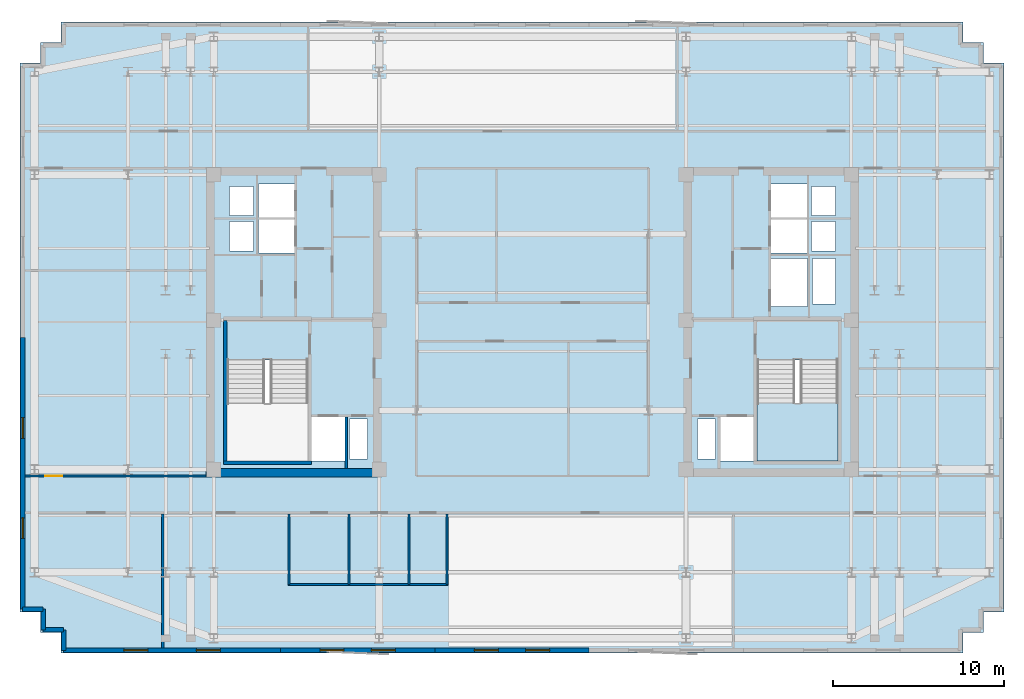
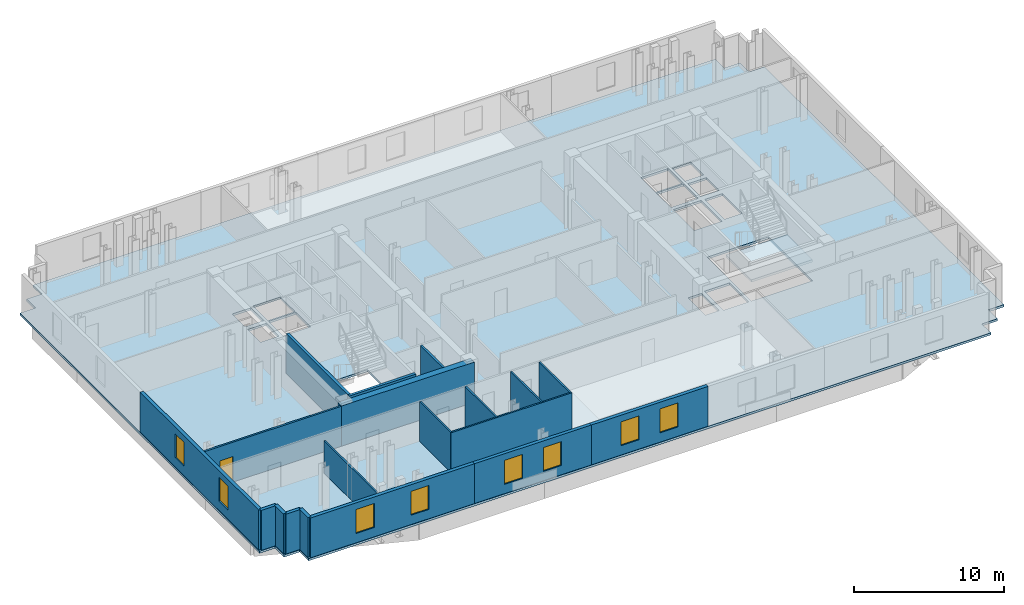
# One storey, part 3 of 9: 19 walls, 8 windows, 2 slabs, 1 door, 9 openings, 1 element without a shape of its own.
"""IFC4 building model written with IfcOpenShell, lengths in metres."""

from ifc_helpers import new_model, si_unit, direction, frame, frame_2d, origin, place, context, subcontext, project, spatial, polyline, rectangle, outline, extrude, material, layer, layer_set, type_object, element, fill, aggregate, save


model = new_model("IFC4")

# Units and contexts
model_context = context("Model", 3, precision=1e-05, world=origin(), true_north=direction((0.0, 1.0)))
body_context = subcontext(model_context, "Body", "Model", "MODEL_VIEW")
ifc_project = project(units=[si_unit("LENGTHUNIT", "METRE"), si_unit("AREAUNIT", "SQUARE_METRE"), si_unit("VOLUMEUNIT", "CUBIC_METRE"), si_unit("PLANEANGLEUNIT", "RADIAN"), si_unit("MASSUNIT", "GRAM", prefix="KILO")], contexts=[model_context])

# Site, building, storey
site_placement = place(None, origin())
site = spatial("IfcSite", under=ifc_project, at=site_placement, CompositionType="ELEMENT")
building_placement = place(site_placement, origin())
building = spatial("IfcBuilding", under=site, at=building_placement, Name="Velakula Bourse", CompositionType="ELEMENT")
storey_placement = place(building_placement, frame((0.0, 0.0, 208.5)))
storey = spatial("IfcBuildingStorey", under=building, at=storey_placement, Name="L56", CompositionType="ELEMENT", Elevation=208.5)

# Stair, slab
ifc_material_1 = material(Name="Concrete M45 (fck 45 MPa)", Category="concrete")
stair_type = type_object("IfcStairType", Name="STR-DOG-390", PredefinedType="HALF_TURN_STAIR", material=ifc_material_1)
stair_placement = place(storey_placement, origin())
stair = element("IfcStair", 1, at=stair_placement, inside=storey, type_object=stair_type, Name="L56 East Core Exit Stair ST-E1", PredefinedType="HALF_TURN_STAIR")
ifc_layer_1 = layer(ifc_material_1, 0.199951171875, Name="Concrete M45 (fck 45 MPa)", Category="concrete")
ifc_layer_set_1 = layer_set([ifc_layer_1], Name="Concrete M45 (fck 45 MPa)")
slab_type_1 = type_object("IfcSlabType", Name="SLB-STAIR-LND-200", PredefinedType="LANDING", material=ifc_layer_set_1)
slab_1_placement = place(storey_placement, frame((0.0, 0.0, 1.52490234375)))
slab_1 = element("IfcSlab", 2, at=slab_1_placement, type_object=slab_type_1, Name="ST-E1 landing 1", PredefinedType="LANDING", context=body_context, shape_type="SweptSolid", body=[
    extrude(outline(polyline([(13.10009765625, -4.719970703125), (13.10009765625, -8.10009765625), (17.820068359375, -8.10009765625), (17.820068359375, -4.719970703125), (13.10009765625, -4.719970703125)])), origin(), (0.0, 0.0, 1.0), 0.2001953125),
])
aggregate(stair, [slab_1])

# Slab
ifc_material_2 = material(Name="Concrete M50 (fck 50 MPa)", Category="concrete")
ifc_layer_2 = layer(ifc_material_2, 0.179931640625, Name="Concrete M50 (fck 50 MPa)", Category="concrete")
ifc_layer_set_2 = layer_set([ifc_layer_2], Name="Concrete M50 (fck 50 MPa)")
slab_type_2 = type_object("IfcSlabType", Name="SLB-TWR-180", PredefinedType="FLOOR", material=ifc_layer_set_2)
slab_2_placement = place(storey_placement, frame((0.0, 0.0, -0.179931640625)))
element("IfcSlab", 3, at=slab_2_placement, inside=storey, type_object=slab_type_2, Name="L56 Suspended Structural Floor Slab", PredefinedType="FLOOR", context=body_context, shape_type="SweptSolid", body=[
    extrude(outline(polyline([(-27.5, -19.300048828125), (25.10009765625, -19.300048828125), (25.10009765625, -18.10009765625), (26.300048828125, -18.10009765625), (26.300048828125, -16.89990234375), (27.5, -16.89990234375), (27.5, 15.10009765625), (26.300048828125, 15.10009765625), (26.300048828125, 16.300048828125), (25.10009765625, 16.300048828125), (25.10009765625, 17.5), (-27.5, 17.5), (-27.5, 16.300048828125), (-28.699951171875, 16.300048828125), (-28.699951171875, 15.10009765625), (-29.89990234375, 15.10009765625), (-29.89990234375, -16.89990234375), (-28.699951171875, -16.89990234375), (-28.699951171875, -18.10009765625), (-27.5, -18.10009765625), (-27.5, -19.300048828125)]), holes=[polyline([(-17.820068359375, -8.10009765625), (-13.10009765625, -8.10009765625), (-13.10009765625, -2.199951171875), (-17.820068359375, -2.199951171875), (-17.820068359375, -8.10009765625)]), polyline([(13.10009765625, -8.10009765625), (17.820068359375, -8.10009765625), (17.820068359375, -2.199951171875), (13.10009765625, -2.199951171875), (13.10009765625, -8.10009765625)]), polyline([(-12.89990234375, -8.10009765625), (-10.949951171875, -8.10009765625), (-10.949951171875, -5.550048828125), (-12.89990234375, -5.550048828125), (-12.89990234375, -8.10009765625)]), polyline([(10.949951171875, -8.10009765625), (12.89990234375, -8.10009765625), (12.89990234375, -5.550048828125), (10.949951171875, -5.550048828125), (10.949951171875, -8.10009765625)]), polyline([(13.89990234375, 0.919921875), (16.050048828125, 0.919921875), (16.050048828125, 3.719970703125), (13.89990234375, 3.719970703125), (13.89990234375, 0.919921875)]), polyline([(-10.679931640625, -7.97998046875), (-9.6201171875, -7.97998046875), (-9.6201171875, -5.669921875), (-10.679931640625, -5.669921875), (-10.679931640625, -7.97998046875)]), polyline([(-17.679931640625, 4.139892578125), (-16.27001953125, 4.139892578125), (-16.27001953125, 5.85009765625), (-17.679931640625, 5.85009765625), (-17.679931640625, 4.139892578125)]), polyline([(-17.679931640625, 6.2099609375), (-16.27001953125, 6.2099609375), (-16.27001953125, 7.919921875), (-17.679931640625, 7.919921875), (-17.679931640625, 6.2099609375)]), polyline([(9.6201171875, -7.97998046875), (10.679931640625, -7.97998046875), (10.679931640625, -5.669921875), (9.6201171875, -5.669921875), (9.6201171875, -7.97998046875)]), polyline([(16.27001953125, 4.139892578125), (17.679931640625, 4.139892578125), (17.679931640625, 5.85009765625), (16.27001953125, 5.85009765625), (16.27001953125, 4.139892578125)]), polyline([(16.27001953125, 6.2099609375), (17.679931640625, 6.2099609375), (17.679931640625, 7.919921875), (16.27001953125, 7.919921875), (16.27001953125, 6.2099609375)]), polyline([(16.320068359375, 1.0400390625), (17.679931640625, 1.0400390625), (17.679931640625, 3.699951171875), (16.320068359375, 3.699951171875), (16.320068359375, 1.0400390625)]), polyline([(-16.0, 4.02001953125), (-13.89990234375, 4.02001953125), (-13.89990234375, 5.969970703125), (-16.0, 5.969970703125), (-16.0, 4.02001953125)]), polyline([(-16.0, 6.090087890625), (-13.89990234375, 6.090087890625), (-13.89990234375, 8.0400390625), (-16.0, 8.0400390625), (-16.0, 6.090087890625)]), polyline([(13.89990234375, 4.02001953125), (16.0, 4.02001953125), (16.0, 5.969970703125), (13.89990234375, 5.969970703125), (13.89990234375, 4.02001953125)]), polyline([(13.89990234375, 6.090087890625), (16.0, 6.090087890625), (16.0, 8.0400390625), (13.89990234375, 8.0400390625), (13.89990234375, 6.090087890625)])]), origin(), (0.0, 0.0, 1.0), 0.179931640625),
])

# Walls
ifc_layer_3 = layer(ifc_material_2, 0.2099609375, Name="Concrete M50 (fck 50 MPa)", Category="concrete")
ifc_layer_set_3 = layer_set([ifc_layer_3], Name="Concrete M50 (fck 50 MPa)")
wall_type_1 = type_object("IfcWallType", Name="WL-CORE-210", PredefinedType="SHEAR", material=ifc_layer_set_3)
wall_1_placement = place(storey_placement, frame((-17.925048828125, -8.10009765625, 0.0), z_axis=(0.0, 0.0, 1.0), x_axis=(0.0, 1.0, 0.0)))
element("IfcWall", 4, at=wall_1_placement, inside=storey, type_object=wall_type_1, Name="L56 Core W Stairwell Shear Wall OUT", PredefinedType="SHEAR", context=body_context, shape_type="SweptSolid", body=[
    extrude(rectangle(XDim=8.2001953125, YDim=0.2099609375, at=frame_2d((4.10009765625, 0.0))), origin(), (0.0, 0.0, 1.0), 3.27001953125),
])
wall_2_placement = place(storey_placement, frame((-18.030029296875, -8.205078125, 0.0), z_axis=(0.0, 0.0, 1.0), x_axis=(1.0, 0.0, 0.0)))
element("IfcWall", 5, at=wall_2_placement, inside=storey, type_object=wall_type_1, Name="L56 Core W Stairwell Shear Wall S", PredefinedType="SHEAR", context=body_context, shape_type="SweptSolid", body=[
    extrude(rectangle(XDim=5.14013671875, YDim=0.2099609375, at=frame_2d((2.570068359375, 0.0))), origin(), (0.0, 0.0, 1.0), 3.27001953125),
])
ifc_layer_4 = layer(ifc_material_2, 0.5, Name="Concrete M50 (fck 50 MPa)", Category="concrete")
ifc_layer_set_4 = layer_set([ifc_layer_4], Name="Concrete M50 (fck 50 MPa)")
wall_type_2 = type_object("IfcWallType", Name="WL-CORE-500", PredefinedType="SHEAR", material=ifc_layer_set_4)
wall_3_placement = place(storey_placement, frame((-19.050048828125, -8.800048828125, 0.0), z_axis=(0.0, 0.0, 1.0), x_axis=(1.0, 0.0, 0.0)))
element("IfcWall", 6, at=wall_3_placement, inside=storey, type_object=wall_type_2, Name="L56 Core W Shear Wall S", PredefinedType="SHEAR", context=body_context, shape_type="SweptSolid", body=[
    extrude(rectangle(XDim=10.25, YDim=0.5, at=frame_2d((5.125, 0.0))), origin(), (0.0, 0.0, 1.0), 3.27001953125),
])

# Wall, openings, windows
ifc_material_3 = material(Name="Buff kilned clay facing brick masonry", Category="masonry")
ifc_layer_5 = layer(ifc_material_3, 0.260009765625, Name="Buff kilned clay facing brick masonry", Category="masonry")
ifc_layer_set_5 = layer_set([ifc_layer_5], Name="Buff kilned clay facing brick masonry")
wall_type_3 = type_object("IfcWallType", Name="WL-EXT-BRK-260", PredefinedType="STANDARD", material=ifc_layer_set_5)
wall_4_placement = place(storey_placement, frame((-14.699951171875, -19.14990234375, 0.0), z_axis=(0.0, 0.0, 1.0), x_axis=(-1.0, 0.0, 0.0)))
wall_4 = element("IfcWall", 7, at=wall_4_placement, inside=storey, type_object=wall_type_3, Name="L56 S Brick Spandrel Wall B1", PredefinedType="STANDARD", context=body_context, shape_type="SweptSolid", body=[
    extrude(rectangle(XDim=12.650146484375, YDim=0.260009765625, at=frame_2d((6.3251953125, 0.0))), origin(), (0.0, 0.0, 1.0), 3.25),
])
opening_1_placement = place(wall_4_placement, frame((3.5166015625, 0.0, 0.760009765625)))
opening_1 = element("IfcOpeningElement", 8, at=opening_1_placement, cuts=wall_4, Name="Opening W-03", PredefinedType="OPENING", context=body_context, shape_type="SweptSolid", body=[
    extrude(rectangle(XDim=1.39990234375, YDim=1.949951171875, at=frame_2d((0.699951171875, 0.97509765625))), frame((0.0, 0.139892578125, 0.0), z_axis=(0.0, -1.0, 0.0), x_axis=(1.0, 0.0, 0.0)), (0.0, 0.0, 1.0), 0.280029296875),
])
opening_2_placement = place(wall_4_placement, frame((7.7333984375, 0.0, 0.760009765625)))
opening_2 = element("IfcOpeningElement", 9, at=opening_2_placement, cuts=wall_4, Name="Opening W-03", PredefinedType="OPENING", context=body_context, shape_type="SweptSolid", body=[
    extrude(rectangle(XDim=1.39990234375, YDim=1.949951171875, at=frame_2d((0.699951171875, 0.97509765625))), frame((0.0, 0.139892578125, 0.0), z_axis=(0.0, -1.0, 0.0), x_axis=(1.0, 0.0, 0.0)), (0.0, 0.0, 1.0), 0.280029296875),
])
ifc_material_4 = material(Name="Double-glazed solar-control Low-E glass", Category="glass")
window_type_1 = type_object("IfcWindowType", Name="WIN-TWR-1400x2100", PartitioningType="SINGLE_PANEL", PredefinedType="WINDOW", material=ifc_material_4)
window_1_placement = place(opening_1_placement, origin())
window_1 = element("IfcWindow", 10, at=window_1_placement, inside=storey, type_object=window_type_1, Name="L56 Deep-Set Recessed Window 1", OverallHeight=1.949951171875, OverallWidth=1.39990234375, PartitioningType="SINGLE_PANEL", PredefinedType="WINDOW", context=body_context, shape_type="SweptSolid", body=[
    extrude(rectangle(XDim=1.39990234375, YDim=1.949951171875, at=frame_2d((0.699951171875, 0.97509765625))), frame((0.0, 0.030029296875, 0.0), z_axis=(0.0, -1.0, 0.0), x_axis=(1.0, 0.0, 0.0)), (0.0, 0.0, 1.0), 0.06005859375),
])
fill(opening_1, window_1)
window_2_placement = place(opening_2_placement, origin())
window_2 = element("IfcWindow", 11, at=window_2_placement, inside=storey, type_object=window_type_1, Name="L56 Deep-Set Recessed Window 2", OverallHeight=1.949951171875, OverallWidth=1.39990234375, PartitioningType="SINGLE_PANEL", PredefinedType="WINDOW", context=body_context, shape_type="SweptSolid", body=[
    extrude(rectangle(XDim=1.39990234375, YDim=1.949951171875, at=frame_2d((0.699951171875, 0.97509765625))), frame((0.0, 0.030029296875, 0.0), z_axis=(0.0, -1.0, 0.0), x_axis=(1.0, 0.0, 0.0)), (0.0, 0.0, 1.0), 0.06005859375),
])
fill(opening_2, window_2)

wall_5_placement = place(storey_placement, frame((-5.699951171875, -19.14990234375, 0.0), z_axis=(0.0, 0.0, 1.0), x_axis=(-1.0, 0.0, 0.0)))
wall_5 = element("IfcWall", 12, at=wall_5_placement, inside=storey, type_object=wall_type_3, Name="L56 S Brick Spandrel Wall B2", PredefinedType="STANDARD", context=body_context, shape_type="SweptSolid", body=[
    extrude(rectangle(XDim=9.0, YDim=0.260009765625, at=frame_2d((4.5, 0.0))), origin(), (0.0, 0.0, 1.0), 3.25),
])
opening_3_placement = place(wall_5_placement, frame((2.300048828125, 0.0, 0.760009765625)))
opening_3 = element("IfcOpeningElement", 13, at=opening_3_placement, cuts=wall_5, Name="Opening W-03", PredefinedType="OPENING", context=body_context, shape_type="SweptSolid", body=[
    extrude(rectangle(XDim=1.39990234375, YDim=1.949951171875, at=frame_2d((0.699951171875, 0.97509765625))), frame((0.0, 0.139892578125, 0.0), z_axis=(0.0, -1.0, 0.0), x_axis=(1.0, 0.0, 0.0)), (0.0, 0.0, 1.0), 0.280029296875),
])
opening_4_placement = place(wall_5_placement, frame((5.300048828125, 0.0, 0.760009765625)))
opening_4 = element("IfcOpeningElement", 14, at=opening_4_placement, cuts=wall_5, Name="Opening W-03", PredefinedType="OPENING", context=body_context, shape_type="SweptSolid", body=[
    extrude(rectangle(XDim=1.39990234375, YDim=1.949951171875, at=frame_2d((0.699951171875, 0.97509765625))), frame((0.0, 0.139892578125, 0.0), z_axis=(0.0, -1.0, 0.0), x_axis=(1.0, 0.0, 0.0)), (0.0, 0.0, 1.0), 0.280029296875),
])
window_3_placement = place(opening_3_placement, origin())
window_3 = element("IfcWindow", 15, at=window_3_placement, inside=storey, type_object=window_type_1, Name="L56 Deep-Set Recessed Window 1", OverallHeight=1.949951171875, OverallWidth=1.39990234375, PartitioningType="SINGLE_PANEL", PredefinedType="WINDOW", context=body_context, shape_type="SweptSolid", body=[
    extrude(rectangle(XDim=1.39990234375, YDim=1.949951171875, at=frame_2d((0.699951171875, 0.97509765625))), frame((0.0, 0.030029296875, 0.0), z_axis=(0.0, -1.0, 0.0), x_axis=(1.0, 0.0, 0.0)), (0.0, 0.0, 1.0), 0.06005859375),
])
fill(opening_3, window_3)
window_4_placement = place(opening_4_placement, origin())
window_4 = element("IfcWindow", 16, at=window_4_placement, inside=storey, type_object=window_type_1, Name="L56 Deep-Set Recessed Window 2", OverallHeight=1.949951171875, OverallWidth=1.39990234375, PartitioningType="SINGLE_PANEL", PredefinedType="WINDOW", context=body_context, shape_type="SweptSolid", body=[
    extrude(rectangle(XDim=1.39990234375, YDim=1.949951171875, at=frame_2d((0.699951171875, 0.97509765625))), frame((0.0, 0.030029296875, 0.0), z_axis=(0.0, -1.0, 0.0), x_axis=(1.0, 0.0, 0.0)), (0.0, 0.0, 1.0), 0.06005859375),
])
fill(opening_4, window_4)

wall_6_placement = place(storey_placement, frame((3.300048828125, -19.14990234375, 0.0), z_axis=(0.0, 0.0, 1.0), x_axis=(-1.0, 0.0, 0.0)))
wall_6 = element("IfcWall", 17, at=wall_6_placement, inside=storey, type_object=wall_type_3, Name="L56 S Brick Spandrel Wall B3", PredefinedType="STANDARD", context=body_context, shape_type="SweptSolid", body=[
    extrude(rectangle(XDim=9.0, YDim=0.260009765625, at=frame_2d((4.5, 0.0))), origin(), (0.0, 0.0, 1.0), 3.25),
])
opening_5_placement = place(wall_6_placement, frame((2.300048828125, 0.0, 0.760009765625)))
opening_5 = element("IfcOpeningElement", 18, at=opening_5_placement, cuts=wall_6, Name="Opening W-03", PredefinedType="OPENING", context=body_context, shape_type="SweptSolid", body=[
    extrude(rectangle(XDim=1.39990234375, YDim=1.949951171875, at=frame_2d((0.699951171875, 0.97509765625))), frame((0.0, 0.139892578125, 0.0), z_axis=(0.0, -1.0, 0.0), x_axis=(1.0, 0.0, 0.0)), (0.0, 0.0, 1.0), 0.280029296875),
])
opening_6_placement = place(wall_6_placement, frame((5.300048828125, 0.0, 0.760009765625)))
opening_6 = element("IfcOpeningElement", 19, at=opening_6_placement, cuts=wall_6, Name="Opening W-03", PredefinedType="OPENING", context=body_context, shape_type="SweptSolid", body=[
    extrude(rectangle(XDim=1.39990234375, YDim=1.949951171875, at=frame_2d((0.699951171875, 0.97509765625))), frame((0.0, 0.139892578125, 0.0), z_axis=(0.0, -1.0, 0.0), x_axis=(1.0, 0.0, 0.0)), (0.0, 0.0, 1.0), 0.280029296875),
])
window_5_placement = place(opening_5_placement, origin())
window_5 = element("IfcWindow", 20, at=window_5_placement, inside=storey, type_object=window_type_1, Name="L56 Deep-Set Recessed Window 1", OverallHeight=1.949951171875, OverallWidth=1.39990234375, PartitioningType="SINGLE_PANEL", PredefinedType="WINDOW", context=body_context, shape_type="SweptSolid", body=[
    extrude(rectangle(XDim=1.39990234375, YDim=1.949951171875, at=frame_2d((0.699951171875, 0.97509765625))), frame((0.0, 0.030029296875, 0.0), z_axis=(0.0, -1.0, 0.0), x_axis=(1.0, 0.0, 0.0)), (0.0, 0.0, 1.0), 0.06005859375),
])
fill(opening_5, window_5)
window_6_placement = place(opening_6_placement, origin())
window_6 = element("IfcWindow", 21, at=window_6_placement, inside=storey, type_object=window_type_1, Name="L56 Deep-Set Recessed Window 2", OverallHeight=1.949951171875, OverallWidth=1.39990234375, PartitioningType="SINGLE_PANEL", PredefinedType="WINDOW", context=body_context, shape_type="SweptSolid", body=[
    extrude(rectangle(XDim=1.39990234375, YDim=1.949951171875, at=frame_2d((0.699951171875, 0.97509765625))), frame((0.0, 0.030029296875, 0.0), z_axis=(0.0, -1.0, 0.0), x_axis=(1.0, 0.0, 0.0)), (0.0, 0.0, 1.0), 0.06005859375),
])
fill(opening_6, window_6)

wall_7_placement = place(storey_placement, frame((-29.75, -16.75, 0.0), z_axis=(0.0, 0.0, 1.0), x_axis=(0.0, 1.0, 0.0)))
wall_7 = element("IfcWall", 22, at=wall_7_placement, inside=storey, type_object=wall_type_3, Name="L56 W Brick End Wall W1", PredefinedType="STANDARD", context=body_context, shape_type="SweptSolid", body=[
    extrude(rectangle(XDim=15.85009765625, YDim=0.260009765625, at=frame_2d((7.925048828125, 0.0))), origin(), (0.0, 0.0, 1.0), 3.25),
])
opening_7_placement = place(wall_7_placement, frame((4.13330078125, 0.0, 0.760009765625)))
opening_7 = element("IfcOpeningElement", 23, at=opening_7_placement, cuts=wall_7, Name="Opening W-04", PredefinedType="OPENING", context=body_context, shape_type="SweptSolid", body=[
    extrude(rectangle(XDim=1.199951171875, YDim=1.949951171875, at=frame_2d((0.60009765625, 0.97509765625))), frame((0.0, 0.139892578125, 0.0), z_axis=(0.0, -1.0, 0.0), x_axis=(1.0, 0.0, 0.0)), (0.0, 0.0, 1.0), 0.280029296875),
])
opening_8_placement = place(wall_7_placement, frame((9.966796875, 0.0, 0.760009765625)))
opening_8 = element("IfcOpeningElement", 24, at=opening_8_placement, cuts=wall_7, Name="Opening W-04", PredefinedType="OPENING", context=body_context, shape_type="SweptSolid", body=[
    extrude(rectangle(XDim=1.199951171875, YDim=1.949951171875, at=frame_2d((0.60009765625, 0.97509765625))), frame((0.0, 0.139892578125, 0.0), z_axis=(0.0, -1.0, 0.0), x_axis=(1.0, 0.0, 0.0)), (0.0, 0.0, 1.0), 0.280029296875),
])
window_type_2 = type_object("IfcWindowType", Name="WIN-TWR-1200x2100", PartitioningType="SINGLE_PANEL", PredefinedType="WINDOW", material=ifc_material_4)
window_7_placement = place(opening_7_placement, origin())
window_7 = element("IfcWindow", 25, at=window_7_placement, inside=storey, type_object=window_type_2, Name="L56 Deep-Set Recessed Window 1", OverallHeight=1.949951171875, OverallWidth=1.199951171875, PartitioningType="SINGLE_PANEL", PredefinedType="WINDOW", context=body_context, shape_type="SweptSolid", body=[
    extrude(rectangle(XDim=1.199951171875, YDim=1.949951171875, at=frame_2d((0.60009765625, 0.97509765625))), frame((0.0, 0.030029296875, 0.0), z_axis=(0.0, -1.0, 0.0), x_axis=(1.0, 0.0, 0.0)), (0.0, 0.0, 1.0), 0.06005859375),
])
fill(opening_7, window_7)
window_8_placement = place(opening_8_placement, origin())
window_8 = element("IfcWindow", 26, at=window_8_placement, inside=storey, type_object=window_type_2, Name="L56 Deep-Set Recessed Window 2", OverallHeight=1.949951171875, OverallWidth=1.199951171875, PartitioningType="SINGLE_PANEL", PredefinedType="WINDOW", context=body_context, shape_type="SweptSolid", body=[
    extrude(rectangle(XDim=1.199951171875, YDim=1.949951171875, at=frame_2d((0.60009765625, 0.97509765625))), frame((0.0, 0.030029296875, 0.0), z_axis=(0.0, -1.0, 0.0), x_axis=(1.0, 0.0, 0.0)), (0.0, 0.0, 1.0), 0.06005859375),
])
fill(opening_8, window_8)

# Walls
for number, where, z_axis, x_axis, name in (
    (27, (-29.75, -16.75, 0.0), (0.0, 0.0, 1.0), (1.0, 0.0, 0.0), "L56 Serrated Corner Brick Wall SW-1"),
    (28, (-28.550048828125, -16.75, 0.0), (0.0, 0.0, 1.0), (0.0, -1.0, 0.0), "L56 Serrated Corner Brick Wall SW-2"),
    (29, (-28.550048828125, -17.949951171875, 0.0), (0.0, 0.0, 1.0), (1.0, 0.0, 0.0), "L56 Serrated Corner Brick Wall SW-3"),
    (30, (-27.35009765625, -17.949951171875, 0.0), (0.0, 0.0, 1.0), (0.0, -1.0, 0.0), "L56 Serrated Corner Brick Wall SW-4"),
):
    element("IfcWall", number, at=place(storey_placement, frame(where, z_axis=z_axis, x_axis=x_axis)), inside=storey, type_object=wall_type_3, Name=name, PredefinedType="STANDARD", context=body_context, shape_type="SweptSolid", body=[
        extrude(rectangle(XDim=1.199951171875, YDim=0.260009765625, at=frame_2d((0.60009765625, 0.0))), origin(), (0.0, 0.0, 1.0), 3.25),
    ])
ifc_material_5 = material(Name="Fire-rated double-layer gypsum drywall partition", Category="gypsum")
ifc_layer_6 = layer(ifc_material_5, 0.1201171875, Name="Fire-rated double-layer gypsum drywall partition", Category="gypsum")
ifc_layer_set_6 = layer_set([ifc_layer_6], Name="Fire-rated double-layer gypsum drywall partition")
wall_type_4 = type_object("IfcWallType", Name="WL-PART-120", PredefinedType="STANDARD", material=ifc_layer_set_6)
wall_8_placement = place(storey_placement, frame((-14.260009765625, -15.320068359375, 0.0), z_axis=(0.0, 0.0, 1.0), x_axis=(1.0, 0.0, 0.0)))
element("IfcWall", 31, at=wall_8_placement, inside=storey, type_object=wall_type_4, Name="L56 Interior Partition WL-WC-L56-BACK", PredefinedType="STANDARD", context=body_context, shape_type="SweptSolid", body=[
    extrude(rectangle(XDim=9.320068359375, YDim=0.1201171875, at=frame_2d((4.66015625, 0.0))), origin(), (0.0, 0.0, 1.0), 3.25),
])
for number, where, z_axis, x_axis, name in (
    (32, (-14.199951171875, -15.320068359375, 0.0), (0.0, 0.0, 1.0), (0.0, 1.0, 0.0), "L56 Interior Partition WL-WC-L56-V1"),
    (33, (-10.699951171875, -15.320068359375, 0.0), (0.0, 0.0, 1.0), (0.0, 1.0, 0.0), "L56 Interior Partition WL-WC-L56-V2"),
    (34, (-7.199951171875, -15.320068359375, 0.0), (0.0, 0.0, 1.0), (0.0, 1.0, 0.0), "L56 Interior Partition WL-WC-L56-V3"),
    (35, (-5.0, -15.320068359375, 0.0), (0.0, 0.0, 1.0), (0.0, 1.0, 0.0), "L56 Interior Partition WL-WC-L56-V4"),
):
    element("IfcWall", number, at=place(storey_placement, frame(where, z_axis=z_axis, x_axis=x_axis)), inside=storey, type_object=wall_type_4, Name=name, PredefinedType="STANDARD", context=body_context, shape_type="SweptSolid", body=[
        extrude(rectangle(XDim=4.130126953125, YDim=0.1201171875, at=frame_2d((2.06494140625, 0.0))), origin(), (0.0, 0.0, 1.0), 3.25),
    ])
wall_9_placement = place(storey_placement, frame((-21.572998046875, -19.02001953125, 0.0), z_axis=(0.0, 0.0, 1.0), x_axis=(0.0, 1.0, 0.0)))
element("IfcWall", 36, at=wall_9_placement, inside=storey, type_object=wall_type_4, Name="L56 Interior Partition WL-INT-L56-SL-D5", PredefinedType="STANDARD", context=body_context, shape_type="SweptSolid", body=[
    extrude(rectangle(XDim=7.830078125, YDim=0.1201171875, at=frame_2d((3.9150390625, 0.0))), origin(), (0.0, 0.0, 1.0), 2.64501953125),
])

# Wall, opening, door
ifc_layer_7 = layer(ifc_material_5, 0.139892578125, Name="Fire-rated double-layer gypsum drywall partition", Category="gypsum")
ifc_layer_set_7 = layer_set([ifc_layer_7], Name="Fire-rated double-layer gypsum drywall partition")
wall_type_5 = type_object("IfcWallType", Name="WL-PART-140", PredefinedType="STANDARD", material=ifc_layer_set_7)
wall_10_placement = place(storey_placement, frame((-29.6201171875, -8.97998046875, 0.0), z_axis=(0.0, 0.0, 1.0), x_axis=(1.0, 0.0, 0.0)))
wall_10 = element("IfcWall", 37, at=wall_10_placement, inside=storey, type_object=wall_type_5, Name="L56 Interior Partition WL-INT-L56-W-SC", PredefinedType="STANDARD", context=body_context, shape_type="SweptSolid", body=[
    extrude(rectangle(XDim=10.570068359375, YDim=0.139892578125, at=frame_2d((5.28515625, 0.0))), origin(), (0.0, 0.0, 1.0), 3.25),
])
opening_9_placement = place(wall_10_placement, frame((1.191162109375, 0.0, 0.0)))
opening_9 = element("IfcOpeningElement", 38, at=opening_9_placement, cuts=wall_10, Name="Opening D-OF1", PredefinedType="OPENING", context=body_context, shape_type="SweptSolid", body=[
    extrude(rectangle(XDim=1.0, YDim=2.080078125, at=frame_2d((0.5, 1.0400390625))), frame((0.0, 0.079833984375, 0.0), z_axis=(0.0, -1.0, 0.0), x_axis=(1.0, 0.0, 0.0)), (0.0, 0.0, 1.0), 0.159912109375),
])
ifc_material_6 = material(Name="Fire-rated hardwood flush architectural door", Category="wood")
door_type = type_object("IfcDoorType", Name="DR-OFF-1000", OperationType="NOTDEFINED", PredefinedType="DOOR", material=ifc_material_6)
door_placement = place(opening_9_placement, origin())
door = element("IfcDoor", 39, at=door_placement, inside=storey, type_object=door_type, Name="L56 ESG Rating Analytics Workspace Door", OperationType="SINGLE_SWING_RIGHT", OverallHeight=2.080078125, OverallWidth=1.0, PredefinedType="DOOR", context=body_context, shape_type="SweptSolid", body=[
    extrude(rectangle(XDim=1.0, YDim=2.080078125, at=frame_2d((0.5, 1.0400390625))), frame((0.0, 0.02490234375, 0.0), z_axis=(0.0, -1.0, 0.0), x_axis=(1.0, 0.0, 0.0)), (0.0, 0.0, 1.0), 0.050048828125),
])
fill(opening_9, door)

# Wall
ifc_material_7 = material(Name="Autoclaved aerated concrete blockwork masonry", Category="masonry")
ifc_layer_8 = layer(ifc_material_7, 0.14990234375, Name="Autoclaved aerated concrete blockwork masonry", Category="masonry")
ifc_layer_set_8 = layer_set([ifc_layer_8], Name="Autoclaved aerated concrete blockwork masonry")
wall_type_6 = type_object("IfcWallType", Name="WL-SHAFT-150", PredefinedType="STANDARD", material=ifc_layer_set_8)
wall_11_placement = place(storey_placement, frame((-10.875, -8.550048828125, 0.0), z_axis=(0.0, 0.0, 1.0), x_axis=(0.0, 1.0, 0.0)))
element("IfcWall", 40, at=wall_11_placement, inside=storey, type_object=wall_type_6, Name="L56 Interior Partition WL-CRW-L56-FR-DIV", PredefinedType="STANDARD", context=body_context, shape_type="SweptSolid", body=[
    extrude(rectangle(XDim=3.0, YDim=0.14990234375, at=frame_2d((1.5, 0.0))), origin(), (0.0, 0.0, 1.0), 3.25),
])

save(model, "model.ifc")
